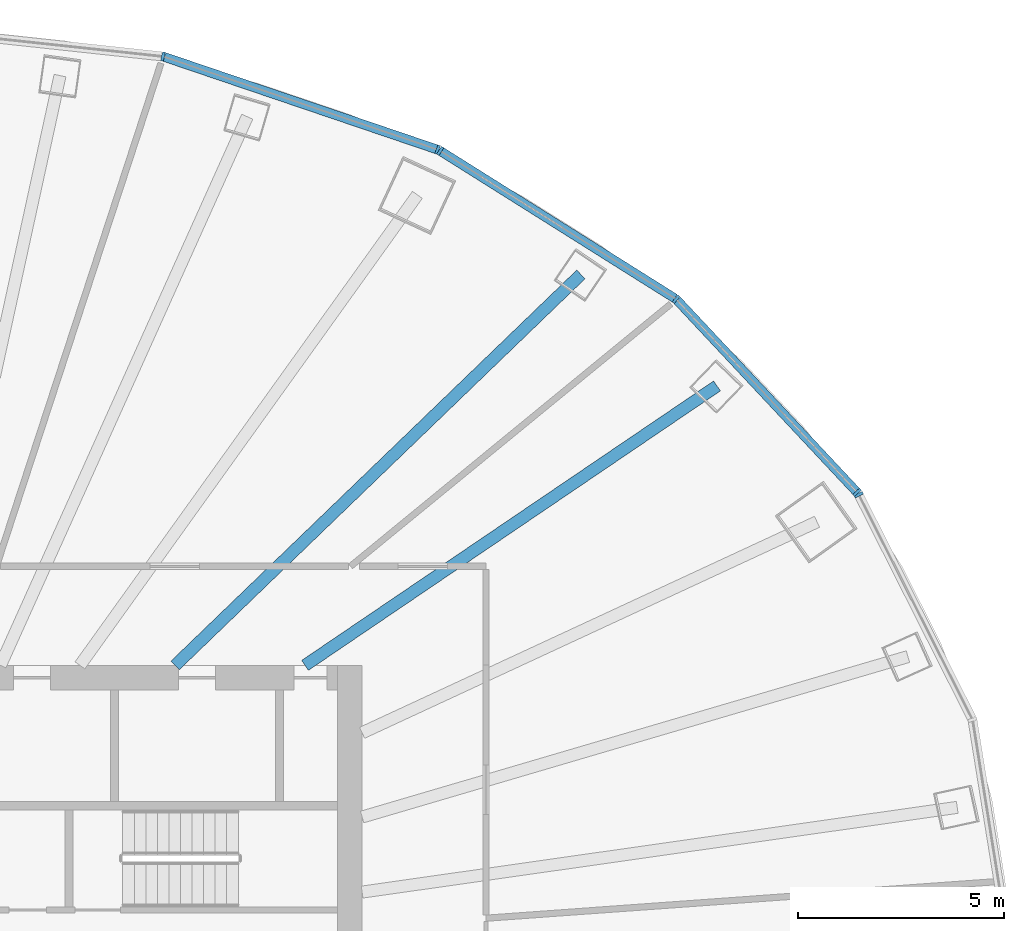
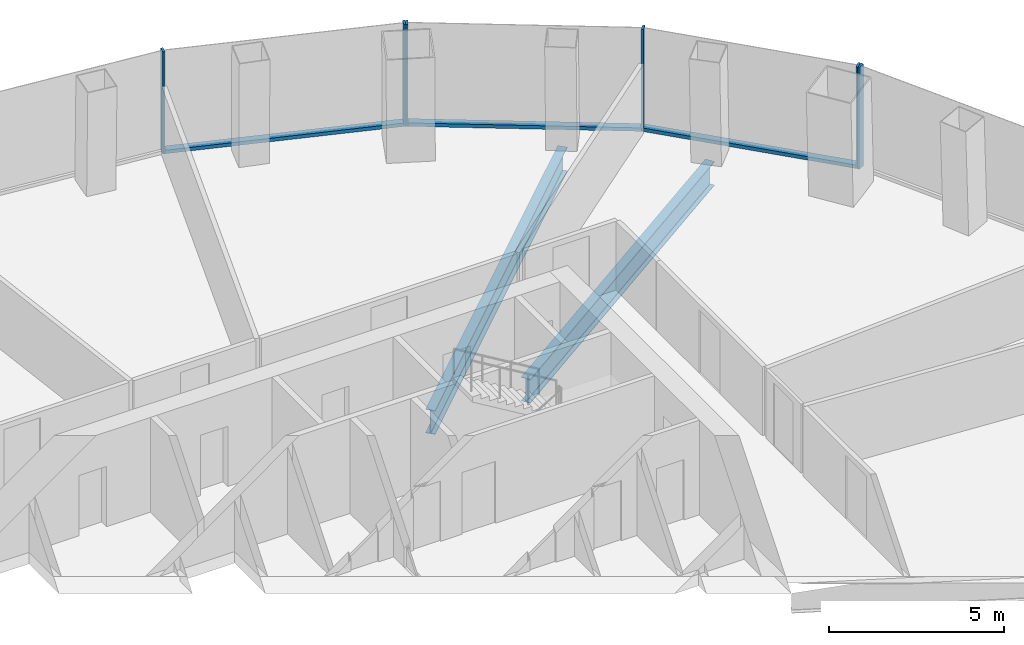
# One storey, part 6 of 11: 9 members, 2 beams, 3 elements without a shape of their own.
"""IFC4 building model written with IfcOpenShell, lengths in metres."""

from ifc_helpers import new_model, si_unit, direction, frame, origin, origin_2d, place, context, subcontext, project, spatial, rectangle, i_section, extrude, material, layer, layer_set, material_profile, profile_set, type_object, element, aggregate, save


model = new_model("IFC4")

# Units and contexts
model_context = context("Model", 3, precision=1e-05, world=origin(), true_north=direction((0.0, 1.0)))
body_context = subcontext(model_context, "Body", "Model", "MODEL_VIEW")
ifc_project = project(units=[si_unit("LENGTHUNIT", "METRE"), si_unit("AREAUNIT", "SQUARE_METRE"), si_unit("VOLUMEUNIT", "CUBIC_METRE"), si_unit("PLANEANGLEUNIT", "RADIAN"), si_unit("MASSUNIT", "GRAM", prefix="KILO")], contexts=[model_context])

# Site, building, storey
site_placement = place(None, origin())
site = spatial("IfcSite", under=ifc_project, at=site_placement, CompositionType="ELEMENT")
building_placement = place(site_placement, origin())
building = spatial("IfcBuilding", under=site, at=building_placement, Name="Siaravel Broadcast Tower", CompositionType="ELEMENT")
storey_placement = place(building_placement, frame((0.0, 0.0, 55.60009765625)))
storey = spatial("IfcBuildingStorey", under=building, at=storey_placement, Name="L12", CompositionType="ELEMENT", Elevation=55.60009765625)

# Beams
ifc_material_1 = material(Name="Steel S355", Category="steel")
ifc_material_profile_1 = material_profile(ifc_material_1, i_section(OverallWidth=0.291748046875, OverallDepth=0.8349609375, WebThickness=0.013916015625, FlangeThickness=0.018798828125, FilletRadius=0.017822265625, at=origin_2d()))
ifc_profile_set_1 = profile_set([ifc_material_profile_1], Name="Steel S355")
beam_type = type_object("IfcBeamType", Name="BM-UB 838x292x176", PredefinedType="BEAM", material=ifc_profile_set_1)
beam_1_placement = place(storey_placement, frame((20.59765625, 13.96875, -0.5673828125), z_axis=(-0.8276296, -0.561274661, 0.0), x_axis=(0.561274661, -0.8276296, 0.0)))
element("IfcBeam", 1, at=beam_1_placement, inside=storey, type_object=beam_type, Name="Radial beam RB05", PredefinedType="BEAM", context=body_context, shape_type="SweptSolid", body=[
    extrude(i_section(OverallWidth=0.291748046875, OverallDepth=0.8349609375, WebThickness=0.013916015625, FlangeThickness=0.018798828125, FilletRadius=0.017822265625, at=origin_2d()), origin(), (0.0, 0.0, 1.0), 12.0595703125),
])
beam_2_placement = place(storey_placement, frame((17.29931640625, 16.67041015625, -0.5673828125), z_axis=(-0.720070904, -0.693900493, 0.0), x_axis=(0.693900493, -0.720070904, 0.0)))
element("IfcBeam", 2, at=beam_2_placement, inside=storey, type_object=beam_type, Name="Radial beam RB06", PredefinedType="BEAM", context=body_context, shape_type="SweptSolid", body=[
    extrude(i_section(OverallWidth=0.291748046875, OverallDepth=0.8349609375, WebThickness=0.013916015625, FlangeThickness=0.018798828125, FilletRadius=0.017822265625, at=origin_2d()), origin(), (0.0, 0.0, 1.0), 13.648193359375),
])

# Curtain wall, member
ifc_material_2 = material(Name="Aluminium 6063-T6", Category="aluminium")
ifc_layer = layer(ifc_material_2, 0.219970703125)
ifc_layer_set = layer_set([ifc_layer], Name="Aluminium 6063-T6")
curtain_wall_type = type_object("IfcCurtainWallType", Name="Unitised curtain wall, zone 1", PredefinedType="NOTDEFINED", material=ifc_layer_set)
curtain_wall_1_placement = place(storey_placement, origin())
curtain_wall_1 = element("IfcCurtainWall", 3, at=curtain_wall_1_placement, inside=storey, type_object=curtain_wall_type, Name="L12 Unitised curtain wall, zone 1 01", PredefinedType="NOTDEFINED")
ifc_material_profile_2 = material_profile(ifc_material_2, rectangle(XDim=0.219970703125, YDim=0.070068359375, at=origin_2d()))
ifc_profile_set_2 = profile_set([ifc_material_profile_2], Name="Aluminium 6063-T6")
member_type_1 = type_object("IfcMemberType", Name="CW-Z1 mullion", PredefinedType="MULLION", material=ifc_profile_set_2)
member_1_placement = place(storey_placement, frame((24.02978515625, 11.3349609375, 0.0), z_axis=(0.0, 0.0, 1.0), x_axis=(-0.892391886, -0.451261257, 0.0)))
member_1 = element("IfcMember", 4, at=member_1_placement, type_object=member_type_1, Name="CW-Z1 mullion 3", PredefinedType="MULLION", context=body_context, shape_type="SweptSolid", body=[
    extrude(rectangle(XDim=0.219970703125, YDim=0.070068359375, at=origin_2d()), origin(), (0.0, 0.0, 1.0), 3.5498046875),
])
aggregate(curtain_wall_1, [member_1])

# Curtain wall, members
curtain_wall_2_placement = place(storey_placement, origin())
curtain_wall_2 = element("IfcCurtainWall", 5, at=curtain_wall_2_placement, inside=storey, type_object=curtain_wall_type, Name="L12 Unitised curtain wall, zone 1 02", PredefinedType="NOTDEFINED")
member_2_placement = place(storey_placement, frame((23.990234375, 11.3916015625, 0.0), z_axis=(0.0, 0.0, 1.0), x_axis=(-0.729805061, -0.683655302, 0.0)))
member_2 = element("IfcMember", 6, at=member_2_placement, type_object=member_type_1, Name="CW-Z1 mullion 1", PredefinedType="MULLION", context=body_context, shape_type="SweptSolid", body=[
    extrude(rectangle(XDim=0.219970703125, YDim=0.070068359375, at=origin_2d()), origin(), (0.0, 0.0, 1.0), 3.5498046875),
])
member_3_placement = place(storey_placement, frame((19.605712890625, 16.072021484375, 0.0), z_axis=(0.0, 0.0, 1.0), x_axis=(-0.636218527, -0.771508902, 0.0)))
member_3 = element("IfcMember", 7, at=member_3_placement, type_object=member_type_1, Name="CW-Z1 mullion 2", PredefinedType="MULLION", context=body_context, shape_type="SweptSolid", body=[
    extrude(rectangle(XDim=0.219970703125, YDim=0.070068359375, at=origin_2d()), origin(), (0.0, 0.0, 1.0), 3.5498046875),
])
member_4_placement = place(storey_placement, frame((13.89208984375, 19.663330078125, 0.0), z_axis=(0.0, 0.0, 1.0), x_axis=(-0.532149214, -0.846650586, 0.0)))
member_4 = element("IfcMember", 8, at=member_4_placement, type_object=member_type_1, Name="CW-Z1 mullion 3", PredefinedType="MULLION", context=body_context, shape_type="SweptSolid", body=[
    extrude(rectangle(XDim=0.219970703125, YDim=0.070068359375, at=origin_2d()), origin(), (0.0, 0.0, 1.0), 3.5498046875),
])

curtain_wall_3_placement = place(storey_placement, origin())
curtain_wall_3 = element("IfcCurtainWall", 9, at=curtain_wall_3_placement, inside=storey, type_object=curtain_wall_type, Name="L12 Unitised curtain wall, zone 1 03", PredefinedType="NOTDEFINED")
member_5_placement = place(storey_placement, frame((13.8291015625, 19.693115234375, 0.0), z_axis=(0.0, 0.0, 1.0), x_axis=(-0.321300709, -0.94697722, 0.0)))
member_5 = element("IfcMember", 10, at=member_5_placement, type_object=member_type_1, Name="CW-Z1 mullion 1", PredefinedType="MULLION", context=body_context, shape_type="SweptSolid", body=[
    extrude(rectangle(XDim=0.219970703125, YDim=0.070068359375, at=origin_2d()), origin(), (0.0, 0.0, 1.0), 3.5498046875),
])
member_6_placement = place(storey_placement, frame((7.17529296875, 21.95068359375, 0.0), z_axis=(0.0, 0.0, 1.0), x_axis=(-0.215558136, -0.976491009, 0.0)))
member_6 = element("IfcMember", 11, at=member_6_placement, type_object=member_type_1, Name="CW-Z1 mullion 2", PredefinedType="MULLION", context=body_context, shape_type="SweptSolid", body=[
    extrude(rectangle(XDim=0.219970703125, YDim=0.070068359375, at=origin_2d()), origin(), (0.0, 0.0, 1.0), 3.5498046875),
])

# Member
ifc_material_profile_3 = material_profile(ifc_material_2, rectangle(XDim=0.219970703125, YDim=0.1201171875, at=origin_2d()))
ifc_profile_set_3 = profile_set([ifc_material_profile_3], Name="Aluminium 6063-T6")
member_type_2 = type_object("IfcMemberType", Name="CW-Z1 transom", PredefinedType="USERDEFINED", material=ifc_profile_set_3)
member_7_placement = place(storey_placement, frame((23.96630859375, 11.417236328125, 0.059814453125), z_axis=(-0.683676063, 0.729785613, 0.0), x_axis=(-0.729785613, -0.683676063, 0.0)))
member_7 = element("IfcMember", 12, at=member_7_placement, type_object=member_type_2, Name="CW-Z1 transom 1", ObjectType="TRANSOM", PredefinedType="USERDEFINED", context=body_context, shape_type="SweptSolid", body=[
    extrude(rectangle(XDim=0.219970703125, YDim=0.1201171875, at=origin_2d()), origin(), (0.0, 0.0, 1.0), 6.34326171875),
])

member_8_placement = place(storey_placement, frame((19.576171875, 16.0908203125, 0.059814453125), z_axis=(-0.846658666, 0.532136358, 0.0), x_axis=(-0.532136358, -0.846658666, 0.0)))
member_8 = element("IfcMember", 13, at=member_8_placement, type_object=member_type_2, Name="CW-Z1 transom 2", ObjectType="TRANSOM", PredefinedType="USERDEFINED", context=body_context, shape_type="SweptSolid", body=[
    extrude(rectangle(XDim=0.219970703125, YDim=0.1201171875, at=origin_2d()), origin(), (0.0, 0.0, 1.0), 6.6787109375),
])

aggregate(curtain_wall_2, [member_2, member_3, member_4, member_7, member_8])

member_9_placement = place(storey_placement, frame((13.7958984375, 19.70458984375, 0.059814453125), z_axis=(-0.946974505, 0.321308709, 0.0), x_axis=(-0.321308709, -0.946974505, 0.0)))
member_9 = element("IfcMember", 14, at=member_9_placement, type_object=member_type_2, Name="CW-Z1 transom 1", ObjectType="TRANSOM", PredefinedType="USERDEFINED", context=body_context, shape_type="SweptSolid", body=[
    extrude(rectangle(XDim=0.219970703125, YDim=0.1201171875, at=origin_2d()), origin(), (0.0, 0.0, 1.0), 6.956298828125),
])

aggregate(curtain_wall_3, [member_5, member_6, member_9])

save(model, "model.ifc")
